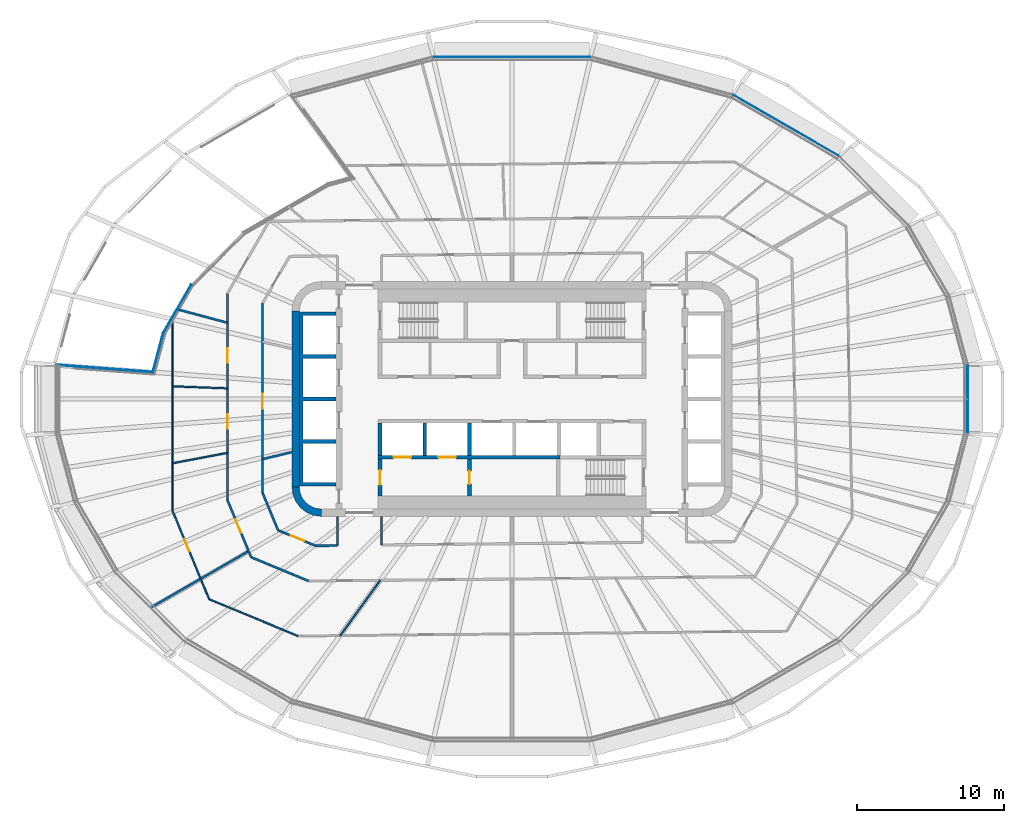
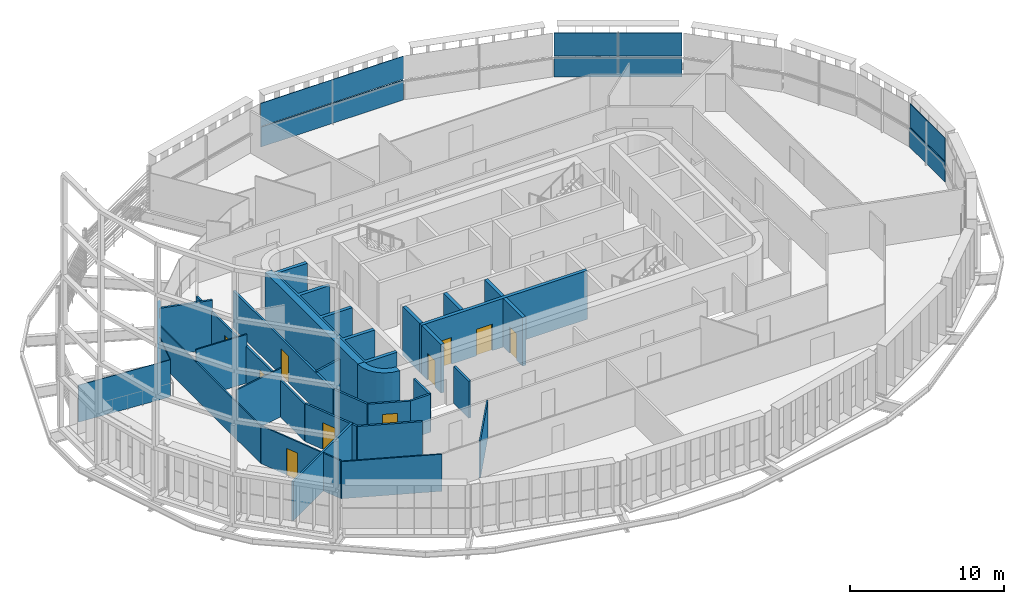
# One storey, part 11 of 22: 30 walls, 10 doors, 6 plates, 10 openings, 3 elements without a shape of their own.
"""IFC4 building model written with IfcOpenShell, lengths in metres."""

from ifc_helpers import new_model, si_unit, direction, frame, frame_2d, origin, place, context, subcontext, project, spatial, polyline, rectangle, outline, extrude, material, layer, layer_set, type_object, element, fill, aggregate, save


model = new_model("IFC4")

# Units and contexts
model_context = context("Model", 3, precision=1e-05, world=origin(), true_north=direction((0.0, 1.0)))
body_context = subcontext(model_context, "Body", "Model", "MODEL_VIEW")
ifc_project = project(units=[si_unit("LENGTHUNIT", "METRE"), si_unit("AREAUNIT", "SQUARE_METRE"), si_unit("VOLUMEUNIT", "CUBIC_METRE"), si_unit("PLANEANGLEUNIT", "RADIAN"), si_unit("MASSUNIT", "GRAM", prefix="KILO")], contexts=[model_context])

# Site, building, storey
site_placement = place(None, origin())
site = spatial("IfcSite", under=ifc_project, at=site_placement, CompositionType="ELEMENT")
building_placement = place(site_placement, origin())
building = spatial("IfcBuilding", under=site, at=building_placement, Name="Sahrelin Media Tower", CompositionType="ELEMENT")
storey_placement = place(building_placement, frame((0.0, 0.0, 177.60009765625)))
storey = spatial("IfcBuildingStorey", under=building, at=storey_placement, Name="L37", CompositionType="ELEMENT", Elevation=177.60009765625)

# Curtain wall, plate
ifc_material_1 = material(Name="Champagne anodised aluminium 6063-T6", Category="aluminium")
ifc_layer_1 = layer(ifc_material_1, 0.14990234375)
ifc_layer_set_1 = layer_set([ifc_layer_1], Name="Tower ribbon curtain wall")
curtain_wall_type = type_object("IfcCurtainWallType", Name="Tower ribbon curtain wall", PredefinedType="NOTDEFINED", material=ifc_layer_set_1)
curtain_wall_1_placement = place(storey_placement, frame((31.081787109375, 0.0, 0.0), z_axis=(0.0, 0.0, 1.0), x_axis=(1.0, 0.0, 0.0)))
curtain_wall_1 = element("IfcCurtainWall", 1, at=curtain_wall_1_placement, inside=storey, type_object=curtain_wall_type, Name="L37:CW:L37-00", PredefinedType="NOTDEFINED")
ifc_material_2 = material(Name="Clear low-iron glazing", Category="glass")
ifc_layer_2 = layer(ifc_material_2, 0.0439453125)
ifc_layer_set_2 = layer_set([ifc_layer_2], Name="Glazing panel 44 mm CW1B")
plate_type_1 = type_object("IfcPlateType", Name="Glazing panel 44 mm CW1B", PredefinedType="CURTAIN_PANEL", material=ifc_layer_set_2)
plate_1_placement = place(storey_placement, frame((31.101806640625, -2.271728515625, 1.6298828125), z_axis=(1.0, 0.0, 0.0), x_axis=(0.0, 1.0, 0.0)))
plate_1 = element("IfcPlate", 2, at=plate_1_placement, type_object=plate_type_1, Name="L37:CWP2:L37-00", PredefinedType="CURTAIN_PANEL", context=body_context, shape_type="SweptSolid", body=[
    extrude(outline(polyline([(0.0, 0.0), (4.54345703125, 0.0), (4.54345703125, 1.818603515625), (0.0, 1.818603515625), (0.0, 0.0)])), origin(), (0.0, 0.0, -1.0), 0.0439453125),
])

curtain_wall_2_placement = place(storey_placement, frame((18.691162109375, 18.6376953125, 0.0), z_axis=(0.0, 0.0, 1.0), x_axis=(1.0, 0.0, 0.0)))
curtain_wall_2 = element("IfcCurtainWall", 3, at=curtain_wall_2_placement, inside=storey, type_object=curtain_wall_type, Name="L37:CW:L37-04", PredefinedType="NOTDEFINED")
plate_2_placement = place(storey_placement, frame((22.28125, 16.588134765625, 1.6298828125), z_axis=(0.499988291006, 0.866032163869, 0.0), x_axis=(-0.866032163869, 0.499988291006, 0.0)))
plate_2 = element("IfcPlate", 4, at=plate_2_placement, type_object=plate_type_1, Name="L37:CWP2:L37-04", PredefinedType="CURTAIN_PANEL", context=body_context, shape_type="SweptSolid", body=[
    extrude(outline(polyline([(0.0, 0.0), (8.267822265625, 0.0), (8.267822265625, 1.818603515625), (0.0, 1.818603515625), (0.0, 0.0)])), origin(), (0.0, 0.0, -1.0), 0.0439453125),
])

curtain_wall_3_placement = place(storey_placement, frame((0.0, 23.32470703125, 0.0), z_axis=(0.0, 0.0, 1.0), x_axis=(1.0, 0.0, 0.0)))
curtain_wall_3 = element("IfcCurtainWall", 5, at=curtain_wall_3_placement, inside=storey, type_object=curtain_wall_type, Name="L37:CW:L37-06", PredefinedType="NOTDEFINED")
plate_3_placement = place(storey_placement, frame((5.33251953125, 23.3447265625, 1.6298828125), z_axis=(0.0, 1.0, 0.0), x_axis=(-1.0, 0.0, 0.0)))
plate_3 = element("IfcPlate", 6, at=plate_3_placement, type_object=plate_type_1, Name="L37:CWP2:L37-06", PredefinedType="CURTAIN_PANEL", context=body_context, shape_type="SweptSolid", body=[
    extrude(outline(polyline([(0.0, 0.0), (10.6650390625, 0.0), (10.6650390625, 1.818603515625), (0.0, 1.818603515625), (0.0, 0.0)])), origin(), (0.0, 0.0, -1.0), 0.0439453125),
])

# Plate
ifc_material_3 = material(Name="Insulated spandrel panel")
ifc_layer_3 = layer(ifc_material_3, 0.06005859375)
ifc_layer_set_3 = layer_set([ifc_layer_3], Name="Spandrel panel 60 mm CW1")
plate_type_2 = type_object("IfcPlateType", Name="Spandrel panel 60 mm CW1", PredefinedType="SHEET", material=ifc_layer_set_3)
plate_4_placement = place(storey_placement, frame((31.101806640625, -2.271728515625, 0.0), z_axis=(1.0, 0.0, 0.0), x_axis=(0.0, 1.0, 0.0)))
plate_4 = element("IfcPlate", 7, at=plate_4_placement, type_object=plate_type_2, Name="L37:CWP1:L37-00", PredefinedType="SHEET", context=body_context, shape_type="SweptSolid", body=[
    extrude(outline(polyline([(0.0, 0.0), (4.54345703125, 0.0), (4.54345703125, 1.56982421875), (0.0, 1.56982421875), (0.0, 0.0)])), origin(), (0.0, 0.0, -1.0), 0.06005859375),
])

aggregate(curtain_wall_1, [plate_4, plate_1])

plate_5_placement = place(storey_placement, frame((22.28125, 16.588134765625, 0.0), z_axis=(0.499988291006, 0.866032163869, 0.0), x_axis=(-0.866032163869, 0.499988291006, 0.0)))
plate_5 = element("IfcPlate", 8, at=plate_5_placement, type_object=plate_type_2, Name="L37:CWP1:L37-04", PredefinedType="SHEET", context=body_context, shape_type="SweptSolid", body=[
    extrude(outline(polyline([(0.0, 0.0), (8.267822265625, 0.0), (8.267822265625, 1.56982421875), (0.0, 1.56982421875), (0.0, 0.0)])), origin(), (0.0, 0.0, -1.0), 0.06005859375),
])

aggregate(curtain_wall_2, [plate_5, plate_2])

plate_6_placement = place(storey_placement, frame((5.33251953125, 23.3447265625, 0.0), z_axis=(0.0, 1.0, 0.0), x_axis=(-1.0, 0.0, 0.0)))
plate_6 = element("IfcPlate", 9, at=plate_6_placement, type_object=plate_type_2, Name="L37:CWP1:L37-06", PredefinedType="SHEET", context=body_context, shape_type="SweptSolid", body=[
    extrude(outline(polyline([(0.0, 0.0), (10.6650390625, 0.0), (10.6650390625, 1.56982421875), (0.0, 1.56982421875), (0.0, 0.0)])), origin(), (0.0, 0.0, -1.0), 0.06005859375),
])

aggregate(curtain_wall_3, [plate_6, plate_3])

# Walls
ifc_material_4 = material(Name="Concrete C60/75", Category="concrete")
ifc_layer_4 = layer(ifc_material_4, 0.5)
ifc_layer_set_4 = layer_set([ifc_layer_4], Name="Core wall 500")
wall_type_1 = type_object("IfcWallType", Name="Core wall 500", PredefinedType="SHEAR", material=ifc_layer_set_4)
wall_1_placement = place(storey_placement, frame((-14.75, -6.0, 0.0), z_axis=(0.0, 0.0, 1.0), x_axis=(0.0, 1.0, 0.0)))
element("IfcWall", 10, at=wall_1_placement, inside=storey, type_object=wall_type_1, Name="Core wall W L37", PredefinedType="SHEAR", context=body_context, shape_type="SweptSolid", body=[
    extrude(rectangle(XDim=12.0, YDim=0.5, at=frame_2d((6.0, 0.0))), origin(), (0.0, 0.0, 1.0), 4.0),
])
placement = place(storey_placement, origin())
element("IfcWall", 11, at=placement, inside=storey, type_object=wall_type_1, Name="Core wall corner SW L37", PredefinedType="SHEAR", context=body_context, shape_type="SweptSolid", body=[
    extrude(outline(polyline([(-13.0, -8.0), (-13.0, -7.49560546875), (-13.38720703125, -7.44482421875), (-13.747802734375, -7.29541015625), (-14.0576171875, -7.0576171875), (-14.29541015625, -6.747802734375), (-14.44482421875, -6.38720703125), (-14.49560546875, -6.0), (-15.0, -6.0), (-14.931884765625, -6.517578125), (-14.732177734375, -7.0), (-14.414306640625, -7.414306640625), (-14.0, -7.732177734375), (-13.517578125, -7.931884765625), (-13.0, -8.0)])), origin(), (0.0, 0.0, 1.0), 4.0),
])

# Wall, opening, door
ifc_material_5 = material(Name="Fire-rated gypsum board partition")
ifc_layer_5 = layer(ifc_material_5, 0.14990234375)
ifc_layer_set_5 = layer_set([ifc_layer_5], Name="Fire-rated partition 150")
wall_type_2 = type_object("IfcWallType", Name="Fire-rated partition 150", PredefinedType="PARTITIONING", material=ifc_layer_set_5)
wall_3_placement = place(storey_placement, frame((-19.39990234375, -6.8759765625, 0.0), z_axis=(0.0, 0.0, 1.0), x_axis=(0.382843135608, -0.92381336509, 0.0)))
wall_3 = element("IfcWall", 12, at=wall_3_placement, inside=storey, type_object=wall_type_2, Name="Wall", PredefinedType="PARTITIONING", context=body_context, shape_type="SweptSolid", body=[
    extrude(rectangle(XDim=4.227294921875, YDim=0.14990234375, at=frame_2d((2.11376953125, 0.0))), origin(), (0.0, 0.0, 1.0), 2.994873046875),
])
opening_1_placement = place(wall_3_placement, frame((1.4384765625, 0.0, 0.0)))
opening_1 = element("IfcOpeningElement", 13, at=opening_1_placement, cuts=wall_3, Name="Opening L37-D45", PredefinedType="OPENING", context=body_context, shape_type="SweptSolid", body=[
    extrude(rectangle(XDim=1.0, YDim=2.10009765625, at=frame_2d((0.5, 1.050048828125))), frame((0.0, 0.074951171875, 0.0), z_axis=(0.0, -1.0, 0.0), x_axis=(1.0, 0.0, 0.0)), (0.0, 0.0, 1.0), 0.14990234375),
])
ifc_material_6 = material(Name="Steel fire door leaf", Category="steel")
door_type_1 = type_object("IfcDoorType", Name="Fire door 1000 x 2100 EI 60", OperationType="NOTDEFINED", PredefinedType="DOOR", material=ifc_material_6)
door_1_placement = place(opening_1_placement, origin())
door_1 = element("IfcDoor", 14, at=door_1_placement, inside=storey, type_object=door_type_1, Name="Fire door", OperationType="SINGLE_SWING_LEFT", OverallHeight=2.10009765625, OverallWidth=1.0, PredefinedType="DOOR", context=body_context, shape_type="SweptSolid", body=[
    extrude(rectangle(XDim=1.0, YDim=2.10009765625, at=frame_2d((0.5, 1.050048828125))), frame((0.0, 0.02490234375, 0.0), z_axis=(0.0, -1.0, 0.0), x_axis=(1.0, 0.0, 0.0)), (0.0, 0.0, 1.0), 0.050048828125),
])
fill(opening_1, door_1)

# Walls
wall_4_placement = place(storey_placement, frame((-17.0, -6.39794921875, 0.0), z_axis=(0.0, 0.0, 1.0), x_axis=(0.382828866893, -0.923819278146, 0.0)))
element("IfcWall", 15, at=wall_4_placement, inside=storey, type_object=wall_type_2, Name="Wall", PredefinedType="PARTITIONING", context=body_context, shape_type="SweptSolid", body=[
    extrude(rectangle(XDim=2.7568359375, YDim=0.14990234375, at=frame_2d((1.37841796875, 0.0))), origin(), (0.0, 0.0, 1.0), 2.994873046875),
])
wall_5_placement = place(storey_placement, frame((-17.781005859375, -10.781005859375, 0.0), z_axis=(0.0, 0.0, 1.0), x_axis=(0.923814466195, -0.382840478592, 0.0)))
element("IfcWall", 16, at=wall_5_placement, inside=storey, type_object=wall_type_2, Name="Wall", PredefinedType="PARTITIONING", context=body_context, shape_type="SweptSolid", body=[
    extrude(rectangle(XDim=4.250244140625, YDim=0.14990234375, at=frame_2d((2.125, 0.0))), origin(), (0.0, 0.0, 1.0), 2.994873046875),
])

# Wall, opening, door
wall_6_placement = place(storey_placement, frame((-15.945068359375, -8.945068359375, 0.0), z_axis=(0.0, 0.0, 1.0), x_axis=(0.923818976108, -0.382829595752, 0.0)))
wall_6 = element("IfcWall", 17, at=wall_6_placement, inside=storey, type_object=wall_type_2, Name="Wall", PredefinedType="PARTITIONING", context=body_context, shape_type="SweptSolid", body=[
    extrude(rectangle(XDim=2.767822265625, YDim=0.14990234375, at=frame_2d((1.3837890625, 0.0))), origin(), (0.0, 0.0, 1.0), 2.994873046875),
])
opening_2_placement = place(wall_6_placement, frame((0.9375, 0.0, 0.0)))
opening_2 = element("IfcOpeningElement", 18, at=opening_2_placement, cuts=wall_6, Name="Opening L37-D29", PredefinedType="OPENING", context=body_context, shape_type="SweptSolid", body=[
    extrude(rectangle(XDim=1.0, YDim=2.10009765625, at=frame_2d((0.5, 1.050048828125))), frame((0.0, 0.074951171875, 0.0), z_axis=(0.0, -1.0, 0.0), x_axis=(1.0, 0.0, 0.0)), (0.0, 0.0, 1.0), 0.14990234375),
])
door_2_placement = place(opening_2_placement, origin())
door_2 = element("IfcDoor", 19, at=door_2_placement, inside=storey, type_object=door_type_1, Name="Fire door", OperationType="SINGLE_SWING_LEFT", OverallHeight=2.10009765625, OverallWidth=1.0, PredefinedType="DOOR", context=body_context, shape_type="SweptSolid", body=[
    extrude(rectangle(XDim=1.0, YDim=2.10009765625, at=frame_2d((0.5, 1.050048828125))), frame((0.0, 0.02490234375, 0.0), z_axis=(0.0, -1.0, 0.0), x_axis=(1.0, 0.0, 0.0)), (0.0, 0.0, 1.0), 0.050048828125),
])
fill(opening_2, door_2)

# Walls
wall_7_placement = place(storey_placement, frame((-22.8349609375, 6.117919921875, 0.0), z_axis=(0.0, 0.0, 1.0), x_axis=(0.965960919092, -0.258688041446, 0.0)))
element("IfcWall", 20, at=wall_7_placement, inside=storey, type_object=wall_type_2, Name="Wall", PredefinedType="PARTITIONING", context=body_context, shape_type="SweptSolid", body=[
    extrude(rectangle(XDim=3.55615234375, YDim=0.14990234375, at=frame_2d((1.778076171875, 0.0))), origin(), (0.0, 0.0, 1.0), 3.849853515625),
])
wall_8_placement = place(storey_placement, frame((-13.387939453125, -10.00390625, 0.0), z_axis=(0.0, 0.0, 1.0), x_axis=(0.999951550029, 0.009843657588, 0.0)))
element("IfcWall", 21, at=wall_8_placement, inside=storey, type_object=wall_type_2, Name="Wall", PredefinedType="PARTITIONING", context=body_context, shape_type="SweptSolid", body=[
    extrude(rectangle(XDim=1.488037109375, YDim=0.14990234375, at=frame_2d((0.744140625, 0.0))), origin(), (0.0, 0.0, 1.0), 2.994873046875),
])
wall_9_placement = place(storey_placement, frame((-17.0, -4.10107421875, 0.0), z_axis=(0.0, 0.0, 1.0), x_axis=(0.972092474047, 0.234598000634, 0.0)))
element("IfcWall", 22, at=wall_9_placement, inside=storey, type_object=wall_type_2, Name="Wall", PredefinedType="PARTITIONING", context=body_context, shape_type="SweptSolid", body=[
    extrude(rectangle(XDim=2.057373046875, YDim=0.14990234375, at=frame_2d((1.02880859375, 0.0))), origin(), (0.0, 0.0, 1.0), 2.994873046875),
])
wall_10_placement = place(storey_placement, frame((-24.635986328125, -14.22412109375, 0.0), z_axis=(0.0, 0.0, 1.0), x_axis=(0.866036485599, 0.499980805243, 0.0)))
element("IfcWall", 23, at=wall_10_placement, inside=storey, type_object=wall_type_2, Name="Wall", PredefinedType="PARTITIONING", context=body_context, shape_type="SweptSolid", body=[
    extrude(rectangle(XDim=7.716552734375, YDim=0.14990234375, at=frame_2d((3.8583984375, 0.0))), origin(), (0.0, 0.0, 1.0), 3.075927734375),
])
wall_11_placement = place(storey_placement, frame((-8.89990234375, -9.948974609375, 0.0), z_axis=(0.0, 0.0, 1.0), x_axis=(0.0, 1.0, 0.0)))
element("IfcWall", 24, at=wall_11_placement, inside=storey, type_object=wall_type_2, Name="Wall", PredefinedType="PARTITIONING", context=body_context, shape_type="SweptSolid", body=[
    extrude(rectangle(XDim=1.948974609375, YDim=0.14990234375, at=frame_2d((0.974609375, 0.0))), origin(), (0.0, 0.0, 1.0), 2.927001953125),
])
wall_12_placement = place(storey_placement, frame((-11.89990234375, -9.989013671875, 0.0), z_axis=(0.0, 0.0, 1.0), x_axis=(0.0, 1.0, 0.0)))
element("IfcWall", 25, at=wall_12_placement, inside=storey, type_object=wall_type_2, Name="Wall", PredefinedType="PARTITIONING", context=body_context, shape_type="SweptSolid", body=[
    extrude(rectangle(XDim=1.989013671875, YDim=0.14990234375, at=frame_2d((0.99462890625, 0.0))), origin(), (0.0, 0.0, 1.0), 2.994873046875),
])

# Wall, opening, door
wall_13_placement = place(storey_placement, frame((-17.0, -6.39794921875, 0.0), z_axis=(0.0, 0.0, 1.0), x_axis=(0.0, 1.0, 0.0)))
wall_13 = element("IfcWall", 26, at=wall_13_placement, inside=storey, type_object=wall_type_2, Name="Wall", PredefinedType="PARTITIONING", context=body_context, shape_type="SweptSolid", body=[
    extrude(rectangle(XDim=12.933837890625, YDim=0.14990234375, at=frame_2d((6.466796875, 0.0))), origin(), (0.0, 0.0, 1.0), 2.927001953125),
])
opening_3_placement = place(wall_13_placement, frame((5.74169921875, 0.0, 0.0)))
opening_3 = element("IfcOpeningElement", 27, at=opening_3_placement, cuts=wall_13, Name="Opening L37-D28", PredefinedType="OPENING", context=body_context, shape_type="SweptSolid", body=[
    extrude(rectangle(XDim=1.0, YDim=2.10009765625, at=frame_2d((0.5, 1.050048828125))), frame((0.0, 0.074951171875, 0.0), z_axis=(0.0, -1.0, 0.0), x_axis=(1.0, 0.0, 0.0)), (0.0, 0.0, 1.0), 0.14990234375),
])
door_3_placement = place(opening_3_placement, origin())
door_3 = element("IfcDoor", 28, at=door_3_placement, inside=storey, type_object=door_type_1, Name="Fire door", OperationType="SINGLE_SWING_LEFT", OverallHeight=2.10009765625, OverallWidth=1.0, PredefinedType="DOOR", context=body_context, shape_type="SweptSolid", body=[
    extrude(rectangle(XDim=1.0, YDim=2.10009765625, at=frame_2d((0.5, 1.050048828125))), frame((0.0, 0.02490234375, 0.0), z_axis=(0.0, -1.0, 0.0), x_axis=(1.0, 0.0, 0.0)), (0.0, 0.0, 1.0), 0.050048828125),
])
fill(opening_3, door_3)

# Wall, openings, doors
wall_14_placement = place(storey_placement, frame((-19.39990234375, -6.8759765625, 0.0), z_axis=(0.0, 0.0, 1.0), x_axis=(0.0, 1.0, 0.0)))
wall_14 = element("IfcWall", 29, at=wall_14_placement, inside=storey, type_object=wall_type_2, Name="Wall", PredefinedType="PARTITIONING", context=body_context, shape_type="SweptSolid", body=[
    extrude(rectangle(XDim=14.054931640625, YDim=0.14990234375, at=frame_2d((7.02734375, 0.0))), origin(), (0.0, 0.0, 1.0), 2.927001953125),
])
opening_4_placement = place(wall_14_placement, frame((9.337890625, 0.0, 0.0)))
opening_4 = element("IfcOpeningElement", 30, at=opening_4_placement, cuts=wall_14, Name="Opening L37-D43", PredefinedType="OPENING", context=body_context, shape_type="SweptSolid", body=[
    extrude(rectangle(XDim=1.0, YDim=2.10009765625, at=frame_2d((0.5, 1.050048828125))), frame((0.0, 0.074951171875, 0.0), z_axis=(0.0, -1.0, 0.0), x_axis=(1.0, 0.0, 0.0)), (0.0, 0.0, 1.0), 0.14990234375),
])
opening_5_placement = place(wall_14_placement, frame((4.851318359375, 0.0, 0.0)))
opening_5 = element("IfcOpeningElement", 31, at=opening_5_placement, cuts=wall_14, Name="Opening L37-D44", PredefinedType="OPENING", context=body_context, shape_type="SweptSolid", body=[
    extrude(rectangle(XDim=1.0, YDim=2.10009765625, at=frame_2d((0.5, 1.050048828125))), frame((0.0, 0.074951171875, 0.0), z_axis=(0.0, -1.0, 0.0), x_axis=(1.0, 0.0, 0.0)), (0.0, 0.0, 1.0), 0.14990234375),
])
door_4_placement = place(opening_4_placement, origin())
door_4 = element("IfcDoor", 32, at=door_4_placement, inside=storey, type_object=door_type_1, Name="Fire door", OperationType="SINGLE_SWING_RIGHT", OverallHeight=2.10009765625, OverallWidth=1.0, PredefinedType="DOOR", context=body_context, shape_type="SweptSolid", body=[
    extrude(rectangle(XDim=1.0, YDim=2.10009765625, at=frame_2d((0.5, 1.050048828125))), frame((0.0, 0.02490234375, 0.0), z_axis=(0.0, -1.0, 0.0), x_axis=(1.0, 0.0, 0.0)), (0.0, 0.0, 1.0), 0.050048828125),
])
fill(opening_4, door_4)
door_5_placement = place(opening_5_placement, origin())
door_5 = element("IfcDoor", 33, at=door_5_placement, inside=storey, type_object=door_type_1, Name="Fire door", OperationType="SINGLE_SWING_RIGHT", OverallHeight=2.10009765625, OverallWidth=1.0, PredefinedType="DOOR", context=body_context, shape_type="SweptSolid", body=[
    extrude(rectangle(XDim=1.0, YDim=2.10009765625, at=frame_2d((0.5, 1.050048828125))), frame((0.0, 0.02490234375, 0.0), z_axis=(0.0, -1.0, 0.0), x_axis=(1.0, 0.0, 0.0)), (0.0, 0.0, 1.0), 0.050048828125),
])
fill(opening_5, door_5)

# Wall, opening, door
ifc_layer_6 = layer(ifc_material_5, 0.25)
ifc_layer_set_6 = layer_set([ifc_layer_6], Name="Firefighting lobby wall 250")
wall_type_3 = type_object("IfcWallType", Name="Firefighting lobby wall 250", PredefinedType="PARTITIONING", material=ifc_layer_set_6)
wall_15_placement = place(storey_placement, frame((-9.0, -6.60009765625, 0.0), z_axis=(0.0, 0.0, 1.0), x_axis=(0.0, 1.0, 0.0)))
wall_15 = element("IfcWall", 34, at=wall_15_placement, inside=storey, type_object=wall_type_3, Name="Core wall", PredefinedType="PARTITIONING", context=body_context, shape_type="SweptSolid", body=[
    extrude(rectangle(XDim=2.5, YDim=0.25, at=frame_2d((1.25, 0.0))), origin(), (0.0, 0.0, 1.0), 3.849853515625),
])
opening_6_placement = place(wall_15_placement, frame((0.75, 0.0, 0.0)))
opening_6 = element("IfcOpeningElement", 35, at=opening_6_placement, cuts=wall_15, Name="Opening L37-D04", PredefinedType="OPENING", context=body_context, shape_type="SweptSolid", body=[
    extrude(rectangle(XDim=1.0, YDim=2.10009765625, at=frame_2d((0.5, 1.050048828125))), frame((0.0, 0.125, 0.0), z_axis=(0.0, -1.0, 0.0), x_axis=(1.0, 0.0, 0.0)), (0.0, 0.0, 1.0), 0.25),
])
door_type_2 = type_object("IfcDoorType", Name="Firefighting lobby door 1000 x 2100 EI 120", OperationType="NOTDEFINED", PredefinedType="DOOR", material=ifc_material_6)
door_6_placement = place(opening_6_placement, origin())
door_6 = element("IfcDoor", 36, at=door_6_placement, inside=storey, type_object=door_type_2, Name="Firefighting lobby door", OperationType="SINGLE_SWING_LEFT", OverallHeight=2.10009765625, OverallWidth=1.0, PredefinedType="DOOR", context=body_context, shape_type="SweptSolid", body=[
    extrude(rectangle(XDim=1.0, YDim=2.10009765625, at=frame_2d((0.5, 1.050048828125))), frame((0.0, 0.02490234375, 0.0), z_axis=(0.0, -1.0, 0.0), x_axis=(1.0, 0.0, 0.0)), (0.0, 0.0, 1.0), 0.050048828125),
])
fill(opening_6, door_6)

wall_16_placement = place(storey_placement, frame((-2.89990234375, -6.60009765625, 0.0), z_axis=(0.0, 0.0, 1.0), x_axis=(0.0, 1.0, 0.0)))
wall_16 = element("IfcWall", 37, at=wall_16_placement, inside=storey, type_object=wall_type_3, Name="Core wall", PredefinedType="PARTITIONING", context=body_context, shape_type="SweptSolid", body=[
    extrude(rectangle(XDim=2.5, YDim=0.25, at=frame_2d((1.25, 0.0))), origin(), (0.0, 0.0, 1.0), 3.849853515625),
])
opening_7_placement = place(wall_16_placement, frame((0.800048828125, 0.0, 0.0)))
opening_7 = element("IfcOpeningElement", 38, at=opening_7_placement, cuts=wall_16, Name="Opening L37-D05", PredefinedType="OPENING", context=body_context, shape_type="SweptSolid", body=[
    extrude(rectangle(XDim=0.89990234375, YDim=2.10009765625, at=frame_2d((0.449951171875, 1.050048828125))), frame((0.0, 0.125, 0.0), z_axis=(0.0, -1.0, 0.0), x_axis=(1.0, 0.0, 0.0)), (0.0, 0.0, 1.0), 0.25),
])
door_type_3 = type_object("IfcDoorType", Name="Firefighting lobby door 900 x 2100 EI 120", OperationType="NOTDEFINED", PredefinedType="DOOR", material=ifc_material_6)
door_7_placement = place(opening_7_placement, origin())
door_7 = element("IfcDoor", 39, at=door_7_placement, inside=storey, type_object=door_type_3, Name="Riser door", OperationType="SINGLE_SWING_RIGHT", OverallHeight=2.10009765625, OverallWidth=0.89990234375, PredefinedType="DOOR", context=body_context, shape_type="SweptSolid", body=[
    extrude(rectangle(XDim=0.89990234375, YDim=2.10009765625, at=frame_2d((0.449951171875, 1.050048828125))), frame((0.0, 0.02490234375, 0.0), z_axis=(0.0, -1.0, 0.0), x_axis=(1.0, 0.0, 0.0)), (0.0, 0.0, 1.0), 0.050048828125),
])
fill(opening_7, door_7)

# Walls
ifc_material_7 = material(Name="Clear glass", Category="glass")
ifc_layer_7 = layer(ifc_material_7, 0.050048828125)
ifc_layer_set_7 = layer_set([ifc_layer_7], Name="Glazed partition 50")
wall_type_4 = type_object("IfcWallType", Name="Glazed partition 50", PredefinedType="PARTITIONING", material=ifc_layer_set_7)
wall_17_placement = place(storey_placement, frame((-31.08203125, 2.322021484375, 0.0), z_axis=(0.0, 0.0, 1.0), x_axis=(0.997221144943, -0.074498242124, 0.0)))
element("IfcWall", 40, at=wall_17_placement, inside=storey, type_object=wall_type_4, Name="Wall", PredefinedType="PARTITIONING", context=body_context, shape_type="SweptSolid", body=[
    extrude(rectangle(XDim=6.616455078125, YDim=0.050048828125, at=frame_2d((3.30810546875, 0.0))), origin(), (0.0, 0.0, 1.0), 2.927001953125),
])
wall_18_placement = place(storey_placement, frame((-23.76806640625, 4.50390625, 0.0), z_axis=(0.0, 0.0, 1.0), x_axis=(0.500289326849, 0.865858296398, 0.0)))
element("IfcWall", 41, at=wall_18_placement, inside=storey, type_object=wall_type_4, Name="Wall", PredefinedType="PARTITIONING", context=body_context, shape_type="SweptSolid", body=[
    extrude(rectangle(XDim=3.814697265625, YDim=0.050048828125, at=frame_2d((1.9072265625, 0.0))), origin(), (0.0, 0.0, 1.0), 2.994873046875),
])
wall_19_placement = place(storey_placement, frame((-24.48388671875, 1.8291015625, 0.0), z_axis=(0.0, 0.0, 1.0), x_axis=(0.258518653834, 0.966006265828, 0.0)))
element("IfcWall", 42, at=wall_19_placement, inside=storey, type_object=wall_type_4, Name="Wall", PredefinedType="PARTITIONING", context=body_context, shape_type="SweptSolid", body=[
    extrude(rectangle(XDim=2.76904296875, YDim=0.050048828125, at=frame_2d((1.384521484375, 0.0))), origin(), (0.0, 0.0, 1.0), 2.927001953125),
])

# Wall, openings, doors
ifc_layer_8 = layer(ifc_material_4, 0.25)
ifc_layer_set_8 = layer_set([ifc_layer_8], Name="Lift shaft wall 250")
wall_type_5 = type_object("IfcWallType", Name="Lift shaft wall 250", PredefinedType="SOLIDWALL", material=ifc_layer_set_8)
wall_20_placement = place(storey_placement, frame((-9.125, -3.97509765625, 0.0), z_axis=(0.0, 0.0, 1.0), x_axis=(1.0, 0.0, 0.0)))
wall_20 = element("IfcWall", 43, at=wall_20_placement, inside=storey, type_object=wall_type_5, Name="Lift shaft wall", PredefinedType="SOLIDWALL", context=body_context, shape_type="SweptSolid", body=[
    extrude(rectangle(XDim=12.39990234375, YDim=0.25, at=frame_2d((6.199951171875, 0.0))), origin(), (0.0, 0.0, 1.0), 3.849853515625),
])
opening_8_placement = place(wall_20_placement, frame((1.050048828125, 0.0, 0.0)))
opening_8 = element("IfcOpeningElement", 44, at=opening_8_placement, cuts=wall_20, Name="Opening L37-LD-FF1", PredefinedType="OPENING", context=body_context, shape_type="SweptSolid", body=[
    extrude(rectangle(XDim=1.199951171875, YDim=2.10009765625, at=frame_2d((0.60009765625, 1.050048828125))), frame((0.0, 0.125, 0.0), z_axis=(0.0, -1.0, 0.0), x_axis=(1.0, 0.0, 0.0)), (0.0, 0.0, 1.0), 0.25),
])
opening_9_placement = place(wall_20_placement, frame((4.10009765625, 0.0, 0.0)))
opening_9 = element("IfcOpeningElement", 45, at=opening_9_placement, cuts=wall_20, Name="Opening L37-LD-FF2", PredefinedType="OPENING", context=body_context, shape_type="SweptSolid", body=[
    extrude(rectangle(XDim=1.199951171875, YDim=2.10009765625, at=frame_2d((0.60009765625, 1.050048828125))), frame((0.0, 0.125, 0.0), z_axis=(0.0, -1.0, 0.0), x_axis=(1.0, 0.0, 0.0)), (0.0, 0.0, 1.0), 0.25),
])
ifc_material_8 = material(Name="Stainless steel", Category="steel")
door_type_4 = type_object("IfcDoorType", Name="Lift landing door 1200 x 2100 EI 120", OperationType="DOUBLE_DOOR_SLIDING", PredefinedType="DOOR", material=ifc_material_8)
door_8_placement = place(opening_8_placement, origin())
door_8 = element("IfcDoor", 46, at=door_8_placement, inside=storey, type_object=door_type_4, Name="Lift landing door FF1", OperationType="DOUBLE_DOOR_SLIDING", OverallHeight=2.10009765625, OverallWidth=1.199951171875, PredefinedType="DOOR", context=body_context, shape_type="SweptSolid", body=[
    extrude(rectangle(XDim=1.199951171875, YDim=2.10009765625, at=frame_2d((0.60009765625, 1.050048828125))), frame((0.0, 0.02490234375, 0.0), z_axis=(0.0, -1.0, 0.0), x_axis=(1.0, 0.0, 0.0)), (0.0, 0.0, 1.0), 0.050048828125),
])
fill(opening_8, door_8)
door_9_placement = place(opening_9_placement, origin())
door_9 = element("IfcDoor", 47, at=door_9_placement, inside=storey, type_object=door_type_4, Name="Lift landing door FF2", OperationType="DOUBLE_DOOR_SLIDING", OverallHeight=2.10009765625, OverallWidth=1.199951171875, PredefinedType="DOOR", context=body_context, shape_type="SweptSolid", body=[
    extrude(rectangle(XDim=1.199951171875, YDim=2.10009765625, at=frame_2d((0.60009765625, 1.050048828125))), frame((0.0, 0.02490234375, 0.0), z_axis=(0.0, -1.0, 0.0), x_axis=(1.0, 0.0, 0.0)), (0.0, 0.0, 1.0), 0.050048828125),
])
fill(opening_9, door_9)

# Walls
for number, where, z_axis, x_axis, name in (
    (48, (-9.0, -3.85009765625, 0.0), (0.0, 0.0, 1.0), (0.0, 1.0, 0.0), "Lift shaft wall"),
    (49, (-5.949951171875, -3.85009765625, 0.0), (0.0, 0.0, 1.0), (0.0, 1.0, 0.0), "Lift shaft wall"),
    (50, (-2.89990234375, -3.85009765625, 0.0), (0.0, 0.0, 1.0), (0.0, 1.0, 0.0), "Lift shaft wall"),
):
    element("IfcWall", number, at=place(storey_placement, frame(where, z_axis=z_axis, x_axis=x_axis)), inside=storey, type_object=wall_type_5, Name=name, PredefinedType="SOLIDWALL", context=body_context, shape_type="SweptSolid", body=[
        extrude(rectangle(XDim=2.2001953125, YDim=0.25, at=frame_2d((1.10009765625, 0.0))), origin(), (0.0, 0.0, 1.0), 3.849853515625),
    ])
element("IfcWall", 51, at=placement, inside=storey, type_object=wall_type_5, Name="Lift shaft wall", PredefinedType="SOLIDWALL", context=body_context, shape_type="SweptSolid", body=[
    extrude(outline(polyline([(-12.0, -5.925048828125), (-12.0, -5.675048828125), (-14.25, -5.675048828125), (-14.25, -3.02490234375), (-12.0, -3.02490234375), (-12.0, -2.77490234375), (-14.25, -2.77490234375), (-14.25, -0.125), (-12.0, -0.125), (-12.0, 0.125), (-14.25, 0.125), (-14.25, 2.77490234375), (-12.0, 2.77490234375), (-12.0, 3.02490234375), (-14.25, 3.02490234375), (-14.25, 5.675048828125), (-12.0, 5.675048828125), (-12.0, 5.925048828125), (-14.25, 5.925048828125), (-14.5, 5.925048828125), (-14.5, 5.675048828125), (-14.5, 3.02490234375), (-14.5, 2.77490234375), (-14.5, 0.125), (-14.5, -0.125), (-14.5, -2.77490234375), (-14.5, -3.02490234375), (-14.5, -5.675048828125), (-14.5, -5.925048828125), (-14.25, -5.925048828125), (-12.0, -5.925048828125)])), origin(), (0.0, 0.0, 1.0), 3.849853515625),
])

# Wall, opening, door
ifc_material_9 = material(Name="Gypsum board partition")
ifc_layer_9 = layer(ifc_material_9, 0.10009765625)
ifc_layer_set_9 = layer_set([ifc_layer_9], Name="Partition 100")
wall_type_6 = type_object("IfcWallType", Name="Partition 100", PredefinedType="PARTITIONING", material=ifc_layer_set_9)
wall_22_placement = place(storey_placement, frame((-23.139892578125, -7.62109375, 0.0), z_axis=(0.0, 0.0, 1.0), x_axis=(0.383080493462, -0.923714964439, 0.0)))
wall_22 = element("IfcWall", 52, at=wall_22_placement, inside=storey, type_object=wall_type_6, Name="Wall", PredefinedType="PARTITIONING", context=body_context, shape_type="SweptSolid", body=[
    extrude(rectangle(XDim=6.51904296875, YDim=0.10009765625, at=frame_2d((3.259521484375, 0.0))), origin(), (0.0, 0.0, 1.0), 2.994873046875),
])
opening_10_placement = place(wall_22_placement, frame((2.10888671875, 0.0, 0.0)))
opening_10 = element("IfcOpeningElement", 53, at=opening_10_placement, cuts=wall_22, Name="Opening L37-D46", PredefinedType="OPENING", context=body_context, shape_type="SweptSolid", body=[
    extrude(rectangle(XDim=0.89990234375, YDim=2.10009765625, at=frame_2d((0.449951171875, 1.050048828125))), frame((0.0, 0.050048828125, 0.0), z_axis=(0.0, -1.0, 0.0), x_axis=(1.0, 0.0, 0.0)), (0.0, 0.0, 1.0), 0.10009765625),
])
ifc_material_10 = material(Name="Timber door leaf", Category="wood")
door_type_5 = type_object("IfcDoorType", Name="Single door 900 x 2100", OperationType="NOTDEFINED", PredefinedType="DOOR", material=ifc_material_10)
door_10_placement = place(opening_10_placement, origin())
door_10 = element("IfcDoor", 54, at=door_10_placement, inside=storey, type_object=door_type_5, Name="Single door", OperationType="SINGLE_SWING_RIGHT", OverallHeight=2.10009765625, OverallWidth=0.89990234375, PredefinedType="DOOR", context=body_context, shape_type="SweptSolid", body=[
    extrude(rectangle(XDim=0.89990234375, YDim=2.10009765625, at=frame_2d((0.449951171875, 1.050048828125))), frame((0.0, 0.02490234375, 0.0), z_axis=(0.0, -1.0, 0.0), x_axis=(1.0, 0.0, 0.0)), (0.0, 0.0, 1.0), 0.050048828125),
])
fill(opening_10, door_10)

# Walls
wall_23_placement = place(storey_placement, frame((-20.64306640625, -13.64306640625, 0.0), z_axis=(0.0, 0.0, 1.0), x_axis=(0.923751425001, -0.382992564953, 0.0)))
element("IfcWall", 55, at=wall_23_placement, inside=storey, type_object=wall_type_6, Name="Wall", PredefinedType="PARTITIONING", context=body_context, shape_type="SweptSolid", body=[
    extrude(rectangle(XDim=6.561279296875, YDim=0.10009765625, at=frame_2d((3.28076171875, 0.0))), origin(), (0.0, 0.0, 1.0), 2.927001953125),
])
wall_24_placement = place(storey_placement, frame((-23.139892578125, 0.864990234375, 0.0), z_axis=(0.0, 0.0, 1.0), x_axis=(0.99931089625, -0.037117821004, 0.0)))
element("IfcWall", 56, at=wall_24_placement, inside=storey, type_object=wall_type_6, Name="Wall", PredefinedType="PARTITIONING", context=body_context, shape_type="SweptSolid", body=[
    extrude(rectangle(XDim=3.74267578125, YDim=0.10009765625, at=frame_2d((1.871337890625, 0.0))), origin(), (0.0, 0.0, 1.0), 3.849853515625),
])
wall_25_placement = place(storey_placement, frame((-23.139892578125, -4.37890625, 0.0), z_axis=(0.0, 0.0, 1.0), x_axis=(0.982549025403, 0.186003797485, 0.0)))
element("IfcWall", 57, at=wall_25_placement, inside=storey, type_object=wall_type_6, Name="Wall", PredefinedType="PARTITIONING", context=body_context, shape_type="SweptSolid", body=[
    extrude(rectangle(XDim=3.806396484375, YDim=0.10009765625, at=frame_2d((1.9033203125, 0.0))), origin(), (0.0, 0.0, 1.0), 3.849853515625),
])
wall_26_placement = place(storey_placement, frame((-11.717041015625, -16.1279296875, 0.0), z_axis=(0.0, 0.0, 1.0), x_axis=(0.587825586486, 0.808987688332, 0.0)))
element("IfcWall", 58, at=wall_26_placement, inside=storey, type_object=wall_type_6, Name="Wall", PredefinedType="PARTITIONING", context=body_context, shape_type="SweptSolid", body=[
    extrude(rectangle(XDim=4.65625, YDim=0.10009765625, at=frame_2d((2.328125, 0.0))), origin(), (0.0, 0.0, 1.0), 2.927001953125),
])
wall_27_placement = place(storey_placement, frame((-23.139892578125, -7.62109375, 0.0), z_axis=(0.0, 0.0, 1.0), x_axis=(0.0, 1.0, 0.0)))
element("IfcWall", 59, at=wall_27_placement, inside=storey, type_object=wall_type_6, Name="Wall", PredefinedType="PARTITIONING", context=body_context, shape_type="SweptSolid", body=[
    extrude(rectangle(XDim=13.211181640625, YDim=0.10009765625, at=frame_2d((6.60546875, 0.0))), origin(), (0.0, 0.0, 1.0), 2.927001953125),
])

save(model, "model.ifc")
